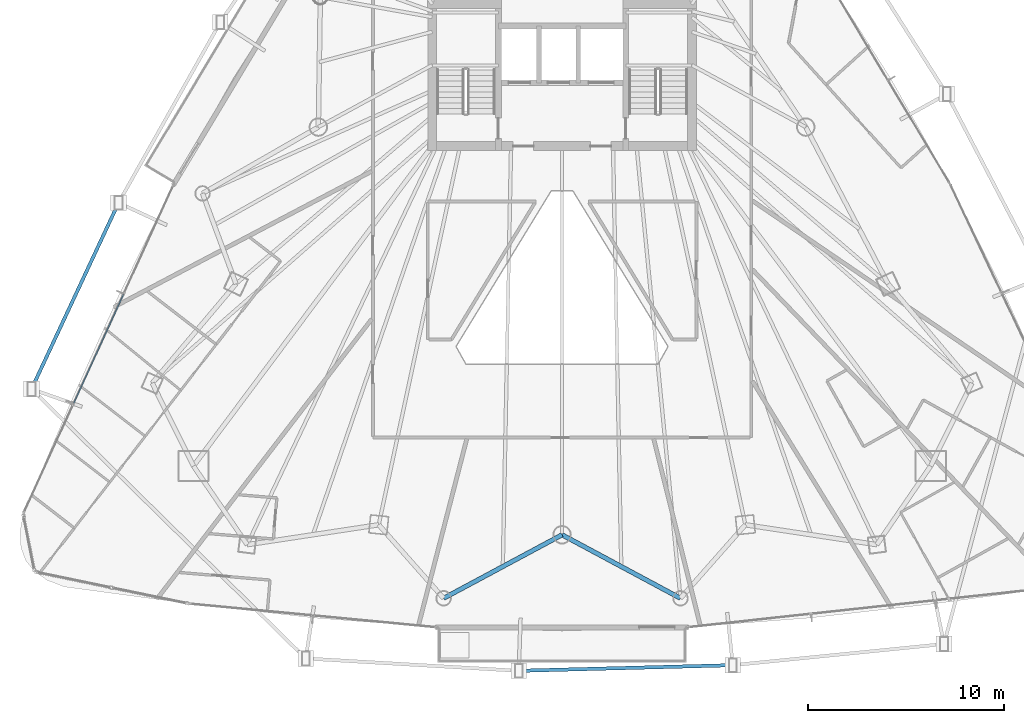
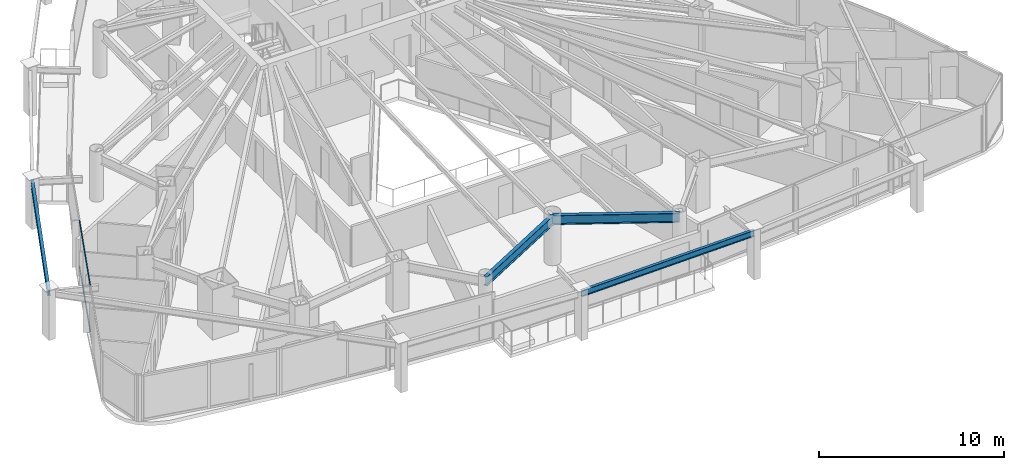
# One storey, part 7 of 34: 4 beams, 2 members, 1 element without a shape of its own.
"""IFC4 building model written with IfcOpenShell, lengths in metres."""

from ifc_helpers import new_model, si_unit, direction, frame, origin, origin_2d, place, context, subcontext, project, spatial, hollow_rectangle, i_section, extrude, material, layer, layer_set, material_profile, profile_set, type_object, element, aggregate, save


model = new_model("IFC4")

# Units and contexts
model_context = context("Model", 3, precision=1e-05, world=origin(), true_north=direction((0.0, 1.0)))
body_context = subcontext(model_context, "Body", "Model", "MODEL_VIEW")
ifc_project = project(units=[si_unit("LENGTHUNIT", "METRE"), si_unit("AREAUNIT", "SQUARE_METRE"), si_unit("VOLUMEUNIT", "CUBIC_METRE"), si_unit("PLANEANGLEUNIT", "RADIAN"), si_unit("MASSUNIT", "GRAM", prefix="KILO")], contexts=[model_context])

# Site, building, storey
site_placement = place(None, origin())
site = spatial("IfcSite", under=ifc_project, at=site_placement, CompositionType="ELEMENT")
building_placement = place(site_placement, origin())
building = spatial("IfcBuilding", under=site, at=building_placement, Name="Orvanel Arch Residences", CompositionType="ELEMENT")
storey_placement = place(building_placement, frame((0.0, 0.0, 80.75)))
storey = spatial("IfcBuildingStorey", under=building, at=storey_placement, Name="L22", CompositionType="ELEMENT", Elevation=80.75)

# Beams
ifc_material_1 = material(Name="Structural steel AS/NZS 3679.1 Grade 300 (300 MPa)", Category="steel")
ifc_material_profile_1 = material_profile(ifc_material_1, i_section(OverallWidth=0.177978515625, OverallDepth=0.406005859375, WebThickness=0.0078125, FlangeThickness=0.0126953125, at=origin_2d()), Name="410UB59.7")
ifc_profile_set_1 = profile_set([ifc_material_profile_1], Name="Structural steel AS/NZS 3679.1 Grade 300 (300 MPa)")
beam_type_1 = type_object("IfcBeamType", Name="OB-410UB-EXT", PredefinedType="SPANDREL", material=ifc_profile_set_1)
beam_1_placement = place(storey_placement, frame((10.3779296875, 23.777099609375, 2.85693359375), z_axis=(-0.423397873986, -0.905943839487, 0.0), x_axis=(0.905943839487, -0.423397873986, 0.0)))
element("IfcBeam", 1, at=beam_1_placement, inside=storey, type_object=beam_type_1, Name="L22 Outer Perimeter Floor Ring Beam 03", PredefinedType="SPANDREL", context=body_context, shape_type="SweptSolid", body=[
    extrude(i_section(OverallWidth=0.177978515625, OverallDepth=0.406005859375, WebThickness=0.0078125, FlangeThickness=0.0126953125, at=origin_2d()), origin(), (0.0, 0.0, 1.0), 10.484130859375),
])
beam_2_placement = place(storey_placement, frame((30.79296875, -0.093994140625, 2.85693359375), z_axis=(0.999654228759, 0.026294922005, 0.0), x_axis=(-0.026294922005, 0.999654228759, 0.0)))
element("IfcBeam", 2, at=beam_2_placement, inside=storey, type_object=beam_type_1, Name="L22 Outer Perimeter Floor Ring Beam 06", PredefinedType="SPANDREL", context=body_context, shape_type="SweptSolid", body=[
    extrude(i_section(OverallWidth=0.177978515625, OverallDepth=0.406005859375, WebThickness=0.0078125, FlangeThickness=0.0126953125, at=origin_2d()), origin(), (0.0, 0.0, 1.0), 10.918701171875),
])
ifc_material_profile_2 = material_profile(ifc_material_1, i_section(OverallWidth=0.22900390625, OverallDepth=0.612060546875, WebThickness=0.011962890625, FlangeThickness=0.01953125, at=origin_2d()), Name="610UB125")
ifc_profile_set_2 = profile_set([ifc_material_profile_2], Name="Structural steel AS/NZS 3679.1 Grade 300 (300 MPa)")
beam_type_2 = type_object("IfcBeamType", Name="SP-610UB", PredefinedType="SPANDREL", material=ifc_profile_set_2)
for number, where, z_axis, x_axis, name in (
    (3, (26.9580078125, 3.60498046875, 2.75390625), (0.881344400551, 0.472474388319, 0.0), (-0.472474388319, 0.881344400551, 0.0), "L22 Perimeter Spandrel Beam 06"),
    (4, (33.0, 6.843994140625, 2.75390625), (0.881344400551, -0.472474388319, 0.0), (0.472474388319, 0.881344400551, 0.0), "L22 Perimeter Spandrel Beam 07"),
):
    element("IfcBeam", number, at=place(storey_placement, frame(where, z_axis=z_axis, x_axis=x_axis)), inside=storey, type_object=beam_type_2, Name=name, PredefinedType="SPANDREL", context=body_context, shape_type="SweptSolid", body=[
        extrude(i_section(OverallWidth=0.22900390625, OverallDepth=0.612060546875, WebThickness=0.011962890625, FlangeThickness=0.01953125, at=origin_2d()), origin(), (0.0, 0.0, 1.0), 6.85546875),
    ])

# Curtain wall, members
ifc_material_2 = material(Name="Bronze-anodised aluminium AA6063-T6", Category="aluminium")
ifc_layer = layer(ifc_material_2, 0.179931640625)
ifc_layer_set = layer_set([ifc_layer], Name="Bronze-anodised aluminium AA6063-T6")
curtain_wall_type = type_object("IfcCurtainWallType", Name="CW2-LOW-SYS", PredefinedType="NOTDEFINED", material=ifc_layer_set)
curtain_wall_placement = place(storey_placement, origin())
curtain_wall = element("IfcCurtainWall", 5, at=curtain_wall_placement, inside=storey, type_object=curtain_wall_type, Name="L22 CW2-LOW-SYS Unitised Curtain Wall", PredefinedType="NOTDEFINED")
ifc_material_profile_3 = material_profile(ifc_material_2, hollow_rectangle(XDim=0.06005859375, YDim=0.135009765625, WallThickness=0.00390625, at=origin_2d()), Name="ALU135x60x4")
ifc_profile_set_3 = profile_set([ifc_material_profile_3], Name="Bronze-anodised aluminium AA6063-T6")
member_type = type_object("IfcMemberType", Name="TRN-135x60", PredefinedType="USERDEFINED", material=ifc_profile_set_3)
member_1_placement = place(storey_placement, frame((10.626220703125, 19.09814453125, 0.030029296875), z_axis=(-0.415453034051, -0.909614630763, 0.0), x_axis=(0.909614630763, -0.415453034051, 0.0)))
member_1 = element("IfcMember", 6, at=member_1_placement, type_object=member_type, Name="CW-S2 transom 2.1", ObjectType="TRANSOM", PredefinedType="USERDEFINED", context=body_context, shape_type="SweptSolid", body=[
    extrude(hollow_rectangle(XDim=0.06005859375, YDim=0.135009765625, WallThickness=0.00390625, at=origin_2d()), origin(), (0.0, 0.0, 1.0), 6.09521484375),
])
member_2_placement = place(storey_placement, frame((10.626220703125, 19.09814453125, 3.030029296875), z_axis=(-0.415453034051, -0.909614630763, 0.0), x_axis=(0.909614630763, -0.415453034051, 0.0)))
member_2 = element("IfcMember", 7, at=member_2_placement, type_object=member_type, Name="CW-S2 transom 2.2", ObjectType="TRANSOM", PredefinedType="USERDEFINED", context=body_context, shape_type="SweptSolid", body=[
    extrude(hollow_rectangle(XDim=0.06005859375, YDim=0.135009765625, WallThickness=0.00390625, at=origin_2d()), origin(), (0.0, 0.0, 1.0), 6.09521484375),
])
aggregate(curtain_wall, [member_1, member_2])

save(model, "model.ifc")
